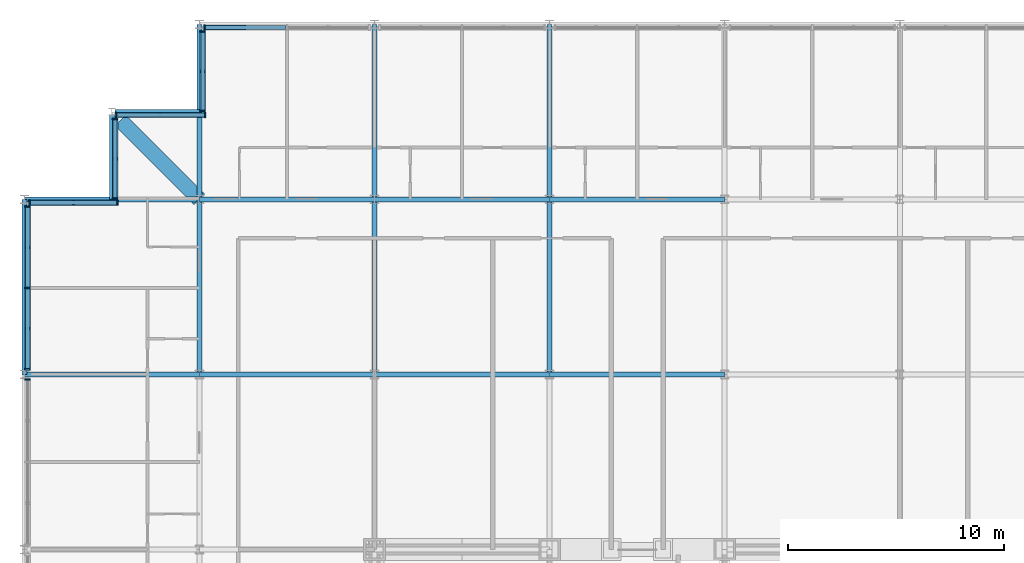
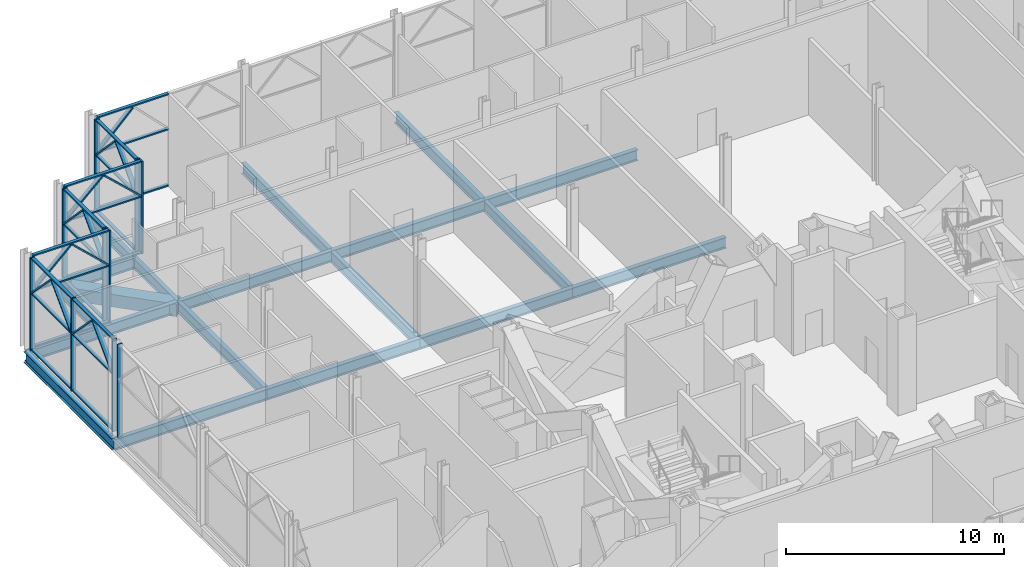
# One storey, part 10 of 26: 47 members, 18 beams, 7 elements without a shape of their own.
"""IFC4 building model written with IfcOpenShell, lengths in metres."""

from ifc_helpers import new_model, si_unit, direction, frame, origin, origin_2d, place, context, subcontext, project, spatial, rectangle, hollow_rectangle, i_section, extrude, material, material_profile, profile_set, type_object, element, aggregate, save


model = new_model("IFC4")

# Units and contexts
model_context = context("Model", 3, precision=1e-05, world=origin(), true_north=direction((0.0, 1.0)))
body_context = subcontext(model_context, "Body", "Model", "MODEL_VIEW")
ifc_project = project(units=[si_unit("LENGTHUNIT", "METRE"), si_unit("AREAUNIT", "SQUARE_METRE"), si_unit("VOLUMEUNIT", "CUBIC_METRE"), si_unit("PLANEANGLEUNIT", "RADIAN"), si_unit("MASSUNIT", "GRAM", prefix="KILO")], contexts=[model_context])

# Site, building, storey
site_placement = place(None, origin())
site = spatial("IfcSite", under=ifc_project, at=site_placement, CompositionType="ELEMENT")
building_placement = place(site_placement, origin())
building = spatial("IfcBuilding", under=site, at=building_placement, Name="Kopane Lantern Tower", CompositionType="ELEMENT")
storey_placement = place(building_placement, frame((0.0, 0.0, 293.10009765625)))
storey = spatial("IfcBuildingStorey", under=building, at=storey_placement, Name="L75", CompositionType="ELEMENT", Elevation=293.10009765625)

# Beams
ifc_material_1 = material(Name="Steel S355JR", Category="steel")
ifc_material_profile_1 = material_profile(ifc_material_1, hollow_rectangle(XDim=0.699951171875, YDim=0.699951171875, WallThickness=0.06005859375, at=origin_2d()), Name="BOX 700x700x60")
ifc_profile_set_1 = profile_set([ifc_material_profile_1], Name="Steel S355JR")
beam_type_1 = type_object("IfcBeamType", Name="CORNER TIE BEAM BOX 700x700x60", PredefinedType="BEAM", material=ifc_profile_set_1)
beam_1_placement = place(storey_placement, frame((4.447509765625, 60.3525390625, -0.56005859375), z_axis=(0.707106781187, -0.707106781187, 0.0), x_axis=(0.707106781187, 0.707106781187, 0.0)))
element("IfcBeam", 1, at=beam_1_placement, inside=storey, type_object=beam_type_1, Name="Corner Tie Beam L75", PredefinedType="BEAM", context=body_context, shape_type="SweptSolid", body=[
    extrude(hollow_rectangle(XDim=0.699951171875, YDim=0.699951171875, WallThickness=0.06005859375, at=origin_2d()), origin(), (0.0, 0.0, 1.0), 5.16552734375),
])
ifc_material_2 = material(Name="Steel S355JR", Category="steel")
ifc_material_profile_2 = material_profile(ifc_material_2, i_section(OverallWidth=0.22900390625, OverallDepth=0.6123046875, WebThickness=0.011962890625, FlangeThickness=0.01953125, FilletRadius=0.0126953125, at=origin_2d()), Name="UB 610x229x125")
ifc_profile_set_2 = profile_set([ifc_material_profile_2], Name="Steel S355JR")
beam_type_2 = type_object("IfcBeamType", Name="EDGE BEAM UB 610x229x125", PredefinedType="BEAM", material=ifc_profile_set_2)
beam_2_placement = place(storey_placement, frame((4.050048828125, 60.59619140625, -0.51611328125), z_axis=(0.0, -1.0, 0.0), x_axis=(1.0, 0.0, 0.0)))
element("IfcBeam", 2, at=beam_2_placement, inside=storey, type_object=beam_type_2, Name="Edge Beam L75", PredefinedType="BEAM", context=body_context, shape_type="SweptSolid", body=[
    extrude(i_section(OverallWidth=0.22900390625, OverallDepth=0.6123046875, WebThickness=0.011962890625, FlangeThickness=0.01953125, FilletRadius=0.0126953125, at=origin_2d()), origin(), (0.0, 0.0, 1.0), 3.896240234375),
])
beam_3_placement = place(storey_placement, frame((4.20361328125, 60.75, -0.51611328125), z_axis=(1.0, 0.0, 0.0), x_axis=(0.0, 1.0, 0.0)))
element("IfcBeam", 3, at=beam_3_placement, inside=storey, type_object=beam_type_2, Name="Edge Beam L75", PredefinedType="BEAM", context=body_context, shape_type="SweptSolid", body=[
    extrude(i_section(OverallWidth=0.22900390625, OverallDepth=0.6123046875, WebThickness=0.011962890625, FlangeThickness=0.01953125, FilletRadius=0.0126953125, at=origin_2d()), origin(), (0.0, 0.0, 1.0), 3.896484375),
])
ifc_material_3 = material(Name="Steel S355JR", Category="steel")
ifc_material_profile_3 = material_profile(ifc_material_3, i_section(OverallWidth=0.22900390625, OverallDepth=0.6123046875, WebThickness=0.011962890625, FlangeThickness=0.01953125, FilletRadius=0.0126953125, at=origin_2d()), Name="UB 610x229x125")
ifc_profile_set_3 = profile_set([ifc_material_profile_3], Name="Steel S355JR")
beam_type_3 = type_object("IfcBeamType", Name="GIRDER UB 610x229x125", PredefinedType="BEAM", material=ifc_profile_set_3)
beam_4_placement = place(storey_placement, frame((0.0, 48.60009765625, -0.51611328125), z_axis=(0.0, 1.0, 0.0), x_axis=(-1.0, 0.0, 0.0)))
element("IfcBeam", 4, at=beam_4_placement, inside=storey, type_object=beam_type_3, Name="Girder L75", PredefinedType="BEAM", context=body_context, shape_type="SweptSolid", body=[
    extrude(i_section(OverallWidth=0.22900390625, OverallDepth=0.6123046875, WebThickness=0.011962890625, FlangeThickness=0.01953125, FilletRadius=0.0126953125, at=origin_2d()), origin(), (0.0, 0.0, 1.0), 8.099853515625),
])
for number, where, z_axis, x_axis, name in (
    (5, (0.0, 48.60009765625, -0.51611328125), (1.0, 0.0, 0.0), (0.0, 1.0, 0.0), "Girder L75"),
    (6, (0.0, 56.699951171875, -0.51611328125), (1.0, 0.0, 0.0), (0.0, 1.0, 0.0), "Girder L75"),
):
    element("IfcBeam", number, at=place(storey_placement, frame(where, z_axis=z_axis, x_axis=x_axis)), inside=storey, type_object=beam_type_3, Name=name, PredefinedType="BEAM", context=body_context, shape_type="SweptSolid", body=[
        extrude(i_section(OverallWidth=0.22900390625, OverallDepth=0.6123046875, WebThickness=0.011962890625, FlangeThickness=0.01953125, FilletRadius=0.0126953125, at=origin_2d()), origin(), (0.0, 0.0, 1.0), 8.10009765625),
    ])
for number, where, z_axis, x_axis, name in (
    (7, (8.10009765625, 48.60009765625, -0.51611328125), (0.0, 1.0, 0.0), (-1.0, 0.0, 0.0), "Girder L75"),
    (8, (8.10009765625, 48.60009765625, -0.51611328125), (1.0, 0.0, 0.0), (0.0, 1.0, 0.0), "Girder L75"),
):
    element("IfcBeam", number, at=place(storey_placement, frame(where, z_axis=z_axis, x_axis=x_axis)), inside=storey, type_object=beam_type_3, Name=name, PredefinedType="BEAM", context=body_context, shape_type="SweptSolid", body=[
        extrude(i_section(OverallWidth=0.22900390625, OverallDepth=0.6123046875, WebThickness=0.011962890625, FlangeThickness=0.01953125, FilletRadius=0.0126953125, at=origin_2d()), origin(), (0.0, 0.0, 1.0), 8.099853515625),
    ])
beam_5_placement = place(storey_placement, frame((8.10009765625, 56.699951171875, -0.51611328125), z_axis=(0.0, 1.0, 0.0), x_axis=(-1.0, 0.0, 0.0)))
element("IfcBeam", 9, at=beam_5_placement, inside=storey, type_object=beam_type_3, Name="Girder L75", PredefinedType="BEAM", context=body_context, shape_type="SweptSolid", body=[
    extrude(i_section(OverallWidth=0.22900390625, OverallDepth=0.6123046875, WebThickness=0.011962890625, FlangeThickness=0.01953125, FilletRadius=0.0126953125, at=origin_2d()), origin(), (0.0, 0.0, 1.0), 8.10009765625),
])
for number, where, z_axis, x_axis, name in (
    (10, (8.10009765625, 56.699951171875, -0.51611328125), (1.0, 0.0, 0.0), (0.0, 1.0, 0.0), "Girder L75"),
    (11, (16.199951171875, 48.60009765625, -0.51611328125), (0.0, 1.0, 0.0), (-1.0, 0.0, 0.0), "Girder L75"),
):
    element("IfcBeam", number, at=place(storey_placement, frame(where, z_axis=z_axis, x_axis=x_axis)), inside=storey, type_object=beam_type_3, Name=name, PredefinedType="BEAM", context=body_context, shape_type="SweptSolid", body=[
        extrude(i_section(OverallWidth=0.22900390625, OverallDepth=0.6123046875, WebThickness=0.011962890625, FlangeThickness=0.01953125, FilletRadius=0.0126953125, at=origin_2d()), origin(), (0.0, 0.0, 1.0), 8.099853515625),
    ])
for number, where, z_axis, x_axis, name in (
    (12, (16.199951171875, 48.60009765625, -0.51611328125), (1.0, 0.0, 0.0), (0.0, 1.0, 0.0), "Girder L75"),
    (13, (16.199951171875, 56.699951171875, -0.51611328125), (0.0, 1.0, 0.0), (-1.0, 0.0, 0.0), "Girder L75"),
    (14, (16.199951171875, 56.699951171875, -0.51611328125), (1.0, 0.0, 0.0), (0.0, 1.0, 0.0), "Girder L75"),
):
    element("IfcBeam", number, at=place(storey_placement, frame(where, z_axis=z_axis, x_axis=x_axis)), inside=storey, type_object=beam_type_3, Name=name, PredefinedType="BEAM", context=body_context, shape_type="SweptSolid", body=[
        extrude(i_section(OverallWidth=0.22900390625, OverallDepth=0.6123046875, WebThickness=0.011962890625, FlangeThickness=0.01953125, FilletRadius=0.0126953125, at=origin_2d()), origin(), (0.0, 0.0, 1.0), 8.10009765625),
    ])
for number, where, z_axis, x_axis, name in (
    (15, (24.300048828125, 48.60009765625, -0.51611328125), (0.0, 1.0, 0.0), (-1.0, 0.0, 0.0), "Girder L75"),
    (16, (24.300048828125, 48.60009765625, -0.51611328125), (1.0, 0.0, 0.0), (0.0, 1.0, 0.0), "Girder L75"),
):
    element("IfcBeam", number, at=place(storey_placement, frame(where, z_axis=z_axis, x_axis=x_axis)), inside=storey, type_object=beam_type_3, Name=name, PredefinedType="BEAM", context=body_context, shape_type="SweptSolid", body=[
        extrude(i_section(OverallWidth=0.22900390625, OverallDepth=0.6123046875, WebThickness=0.011962890625, FlangeThickness=0.01953125, FilletRadius=0.0126953125, at=origin_2d()), origin(), (0.0, 0.0, 1.0), 8.099853515625),
    ])
beam_6_placement = place(storey_placement, frame((24.300048828125, 56.699951171875, -0.51611328125), z_axis=(0.0, 1.0, 0.0), x_axis=(-1.0, 0.0, 0.0)))
element("IfcBeam", 17, at=beam_6_placement, inside=storey, type_object=beam_type_3, Name="Girder L75", PredefinedType="BEAM", context=body_context, shape_type="SweptSolid", body=[
    extrude(i_section(OverallWidth=0.22900390625, OverallDepth=0.6123046875, WebThickness=0.011962890625, FlangeThickness=0.01953125, FilletRadius=0.0126953125, at=origin_2d()), origin(), (0.0, 0.0, 1.0), 8.10009765625),
])
beam_7_placement = place(storey_placement, frame((24.300048828125, 56.699951171875, -0.51611328125), z_axis=(1.0, 0.0, 0.0), x_axis=(0.0, 1.0, 0.0)))
element("IfcBeam", 18, at=beam_7_placement, inside=storey, type_object=beam_type_3, Name="Girder L75", PredefinedType="BEAM", context=body_context, shape_type="SweptSolid", body=[
    extrude(i_section(OverallWidth=0.22900390625, OverallDepth=0.6123046875, WebThickness=0.011962890625, FlangeThickness=0.01953125, FilletRadius=0.0126953125, at=origin_2d()), origin(), (0.0, 0.0, 1.0), 8.099853515625),
])

# Curtain wall, members
ifc_material_4 = material(Name="Aluminium and clear glass", Category="aluminium")
curtain_wall_type = type_object("IfcCurtainWallType", Name="CURTAIN WALL CW5 SKY RESTAURANT", PredefinedType="USERDEFINED", material=ifc_material_4)
curtain_wall_1_placement = place(storey_placement, origin())
curtain_wall_1 = element("IfcCurtainWall", 19, at=curtain_wall_1_placement, inside=storey, type_object=curtain_wall_type, Name="Curtain wall CW5 N L75", ObjectType="CURTAIN WALL", PredefinedType="USERDEFINED")
ifc_material_5 = material(Name="Aluminium", Category="aluminium")
ifc_material_profile_4 = material_profile(ifc_material_5, rectangle(XDim=0.074951171875, YDim=0.25, at=origin_2d()), Name="AL 75x250")
ifc_profile_set_4 = profile_set([ifc_material_profile_4], Name="Aluminium")
member_type_1 = type_object("IfcMemberType", Name="MULLION CW5-M 75x250", PredefinedType="MULLION", material=ifc_profile_set_4)
member_1_placement = place(storey_placement, frame((8.342041015625, 64.64990234375, 0.0), z_axis=(0.0, 0.0, 1.0), x_axis=(-1.0, 0.0, 0.0)))
member_1 = element("IfcMember", 20, at=member_1_placement, type_object=member_type_1, Name="CW5 mullion 3", PredefinedType="MULLION", context=body_context, shape_type="SweptSolid", body=[
    extrude(rectangle(XDim=0.074951171875, YDim=0.25, at=origin_2d()), origin(), (0.0, 0.0, 1.0), 5.18994140625),
])
member_2_placement = place(storey_placement, frame((8.40625, 64.64990234375, 3.25390625), z_axis=(0.7028822434, 0.0, 0.71130622935), x_axis=(-0.71130622935, 0.0, 0.7028822434)))
member_2 = element("IfcMember", 21, at=member_2_placement, type_object=member_type_1, Name="CW5 lancet mullion 2R", PredefinedType="MULLION", context=body_context, shape_type="SweptSolid", body=[
    extrude(rectangle(XDim=0.074951171875, YDim=0.25, at=origin_2d()), origin(), (0.0, 0.0, 1.0), 2.579345703125),
])

curtain_wall_2_placement = place(storey_placement, origin())
curtain_wall_2 = element("IfcCurtainWall", 22, at=curtain_wall_2_placement, inside=storey, type_object=curtain_wall_type, Name="Curtain wall CW5 W L75", ObjectType="CURTAIN WALL", PredefinedType="USERDEFINED")
member_3_placement = place(storey_placement, frame((8.25, 64.46240234375, 0.0), z_axis=(0.0, 0.0, 1.0), x_axis=(0.0, -1.0, 0.0)))
member_3 = element("IfcMember", 23, at=member_3_placement, type_object=member_type_1, Name="CW5 mullion 1", PredefinedType="MULLION", context=body_context, shape_type="SweptSolid", body=[
    extrude(rectangle(XDim=0.074951171875, YDim=0.25, at=origin_2d()), origin(), (0.0, 0.0, 1.0), 5.18994140625),
])
member_4_placement = place(storey_placement, frame((8.25, 60.78759765625, 0.0), z_axis=(0.0, 0.0, 1.0), x_axis=(0.0, -1.0, 0.0)))
member_4 = element("IfcMember", 24, at=member_4_placement, type_object=member_type_1, Name="CW5 mullion 2", PredefinedType="MULLION", context=body_context, shape_type="SweptSolid", body=[
    extrude(rectangle(XDim=0.074951171875, YDim=0.25, at=origin_2d()), origin(), (0.0, 0.0, 1.0), 5.18994140625),
])
member_5_placement = place(storey_placement, frame((8.25, 64.397705078125, 3.253173828125), z_axis=(0.0, -0.689053331261, 0.724710636515), x_axis=(0.0, 0.724710636515, 0.689053331261)))
member_5 = element("IfcMember", 25, at=member_5_placement, type_object=member_type_1, Name="CW5 lancet mullion 1L", PredefinedType="MULLION", context=body_context, shape_type="SweptSolid", body=[
    extrude(rectangle(XDim=0.074951171875, YDim=0.25, at=origin_2d()), origin(), (0.0, 0.0, 1.0), 2.533447265625),
])
member_6_placement = place(storey_placement, frame((8.25, 60.852294921875, 3.253173828125), z_axis=(0.0, 0.689053331261, 0.724710636515), x_axis=(0.0, -0.724710636515, 0.689053331261)))
member_6 = element("IfcMember", 26, at=member_6_placement, type_object=member_type_1, Name="CW5 lancet mullion 1R", PredefinedType="MULLION", context=body_context, shape_type="SweptSolid", body=[
    extrude(rectangle(XDim=0.074951171875, YDim=0.25, at=origin_2d()), origin(), (0.0, 0.0, 1.0), 2.533447265625),
])

curtain_wall_3_placement = place(storey_placement, origin())
curtain_wall_3 = element("IfcCurtainWall", 27, at=curtain_wall_3_placement, inside=storey, type_object=curtain_wall_type, Name="Curtain wall CW5 N L75", ObjectType="CURTAIN WALL", PredefinedType="USERDEFINED")
member_7_placement = place(storey_placement, frame((8.362548828125, 60.60009765625, 0.0), z_axis=(0.0, 0.0, 1.0), x_axis=(-1.0, 0.0, 0.0)))
member_7 = element("IfcMember", 28, at=member_7_placement, type_object=member_type_1, Name="CW5 mullion 1", PredefinedType="MULLION", context=body_context, shape_type="SweptSolid", body=[
    extrude(rectangle(XDim=0.074951171875, YDim=0.25, at=origin_2d()), origin(), (0.0, 0.0, 1.0), 5.18994140625),
])
member_8_placement = place(storey_placement, frame((4.24609375, 60.60009765625, 0.0), z_axis=(0.0, 0.0, 1.0), x_axis=(-1.0, 0.0, 0.0)))
member_8 = element("IfcMember", 29, at=member_8_placement, type_object=member_type_1, Name="CW5 mullion 2", PredefinedType="MULLION", context=body_context, shape_type="SweptSolid", body=[
    extrude(rectangle(XDim=0.074951171875, YDim=0.25, at=origin_2d()), origin(), (0.0, 0.0, 1.0), 5.18994140625),
])
member_9_placement = place(storey_placement, frame((8.299560546875, 60.60009765625, 3.2548828125), z_axis=(-0.732146744025, 0.0, 0.681146933645), x_axis=(0.681146933645, 0.0, 0.732146744025)))
member_9 = element("IfcMember", 30, at=member_9_placement, type_object=member_type_1, Name="CW5 lancet mullion 1L", PredefinedType="MULLION", context=body_context, shape_type="SweptSolid", body=[
    extrude(rectangle(XDim=0.074951171875, YDim=0.25, at=origin_2d()), origin(), (0.0, 0.0, 1.0), 2.6904296875),
])
member_10_placement = place(storey_placement, frame((4.30908203125, 60.60009765625, 3.2548828125), z_axis=(0.732146744025, 0.0, 0.681146933645), x_axis=(-0.681146933645, 0.0, 0.732146744025)))
member_10 = element("IfcMember", 31, at=member_10_placement, type_object=member_type_1, Name="CW5 lancet mullion 1R", PredefinedType="MULLION", context=body_context, shape_type="SweptSolid", body=[
    extrude(rectangle(XDim=0.074951171875, YDim=0.25, at=origin_2d()), origin(), (0.0, 0.0, 1.0), 2.6904296875),
])

curtain_wall_4_placement = place(storey_placement, origin())
curtain_wall_4 = element("IfcCurtainWall", 32, at=curtain_wall_4_placement, inside=storey, type_object=curtain_wall_type, Name="Curtain wall CW5 W L75", ObjectType="CURTAIN WALL", PredefinedType="USERDEFINED")
member_11_placement = place(storey_placement, frame((4.199951171875, 60.41259765625, 0.0), z_axis=(0.0, 0.0, 1.0), x_axis=(0.0, -1.0, 0.0)))
member_11 = element("IfcMember", 33, at=member_11_placement, type_object=member_type_1, Name="CW5 mullion 1", PredefinedType="MULLION", context=body_context, shape_type="SweptSolid", body=[
    extrude(rectangle(XDim=0.074951171875, YDim=0.25, at=origin_2d()), origin(), (0.0, 0.0, 1.0), 5.18994140625),
])
member_12_placement = place(storey_placement, frame((4.199951171875, 56.737548828125, 0.0), z_axis=(0.0, 0.0, 1.0), x_axis=(0.0, -1.0, 0.0)))
member_12 = element("IfcMember", 34, at=member_12_placement, type_object=member_type_1, Name="CW5 mullion 2", PredefinedType="MULLION", context=body_context, shape_type="SweptSolid", body=[
    extrude(rectangle(XDim=0.074951171875, YDim=0.25, at=origin_2d()), origin(), (0.0, 0.0, 1.0), 5.18994140625),
])
member_13_placement = place(storey_placement, frame((4.199951171875, 60.347900390625, 3.253173828125), z_axis=(0.0, -0.689053331261, 0.724710636515), x_axis=(0.0, 0.724710636515, 0.689053331261)))
member_13 = element("IfcMember", 35, at=member_13_placement, type_object=member_type_1, Name="CW5 lancet mullion 1L", PredefinedType="MULLION", context=body_context, shape_type="SweptSolid", body=[
    extrude(rectangle(XDim=0.074951171875, YDim=0.25, at=origin_2d()), origin(), (0.0, 0.0, 1.0), 2.533447265625),
])
member_14_placement = place(storey_placement, frame((4.199951171875, 56.80224609375, 3.253173828125), z_axis=(0.0, 0.689053331261, 0.724710636515), x_axis=(0.0, -0.724710636515, 0.689053331261)))
member_14 = element("IfcMember", 36, at=member_14_placement, type_object=member_type_1, Name="CW5 lancet mullion 1R", PredefinedType="MULLION", context=body_context, shape_type="SweptSolid", body=[
    extrude(rectangle(XDim=0.074951171875, YDim=0.25, at=origin_2d()), origin(), (0.0, 0.0, 1.0), 2.533447265625),
])

curtain_wall_5_placement = place(storey_placement, origin())
curtain_wall_5 = element("IfcCurtainWall", 37, at=curtain_wall_5_placement, inside=storey, type_object=curtain_wall_type, Name="Curtain wall CW5 N L75", ObjectType="CURTAIN WALL", PredefinedType="USERDEFINED")
member_15_placement = place(storey_placement, frame((4.3125, 56.550048828125, 0.0), z_axis=(0.0, 0.0, 1.0), x_axis=(-1.0, 0.0, 0.0)))
member_15 = element("IfcMember", 38, at=member_15_placement, type_object=member_type_1, Name="CW5 mullion 1", PredefinedType="MULLION", context=body_context, shape_type="SweptSolid", body=[
    extrude(rectangle(XDim=0.074951171875, YDim=0.25, at=origin_2d()), origin(), (0.0, 0.0, 1.0), 5.18994140625),
])
member_16_placement = place(storey_placement, frame((0.241943359375, 56.550048828125, 0.0), z_axis=(0.0, 0.0, 1.0), x_axis=(-1.0, 0.0, 0.0)))
member_16 = element("IfcMember", 39, at=member_16_placement, type_object=member_type_1, Name="CW5 mullion 2", PredefinedType="MULLION", context=body_context, shape_type="SweptSolid", body=[
    extrude(rectangle(XDim=0.074951171875, YDim=0.25, at=origin_2d()), origin(), (0.0, 0.0, 1.0), 5.18994140625),
])
member_17_placement = place(storey_placement, frame((4.249267578125, 56.550048828125, 3.254638671875), z_axis=(-0.727974761986, 0.0, 0.685603927871), x_axis=(0.685603927871, 0.0, 0.727974761986)))
member_17 = element("IfcMember", 40, at=member_17_placement, type_object=member_type_1, Name="CW5 lancet mullion 1L", PredefinedType="MULLION", context=body_context, shape_type="SweptSolid", body=[
    extrude(rectangle(XDim=0.074951171875, YDim=0.25, at=origin_2d()), origin(), (0.0, 0.0, 1.0), 2.673583984375),
])
member_18_placement = place(storey_placement, frame((0.30517578125, 56.550048828125, 3.254638671875), z_axis=(0.727974761986, 0.0, 0.685603927871), x_axis=(-0.685603927871, 0.0, 0.727974761986)))
member_18 = element("IfcMember", 41, at=member_18_placement, type_object=member_type_1, Name="CW5 lancet mullion 1R", PredefinedType="MULLION", context=body_context, shape_type="SweptSolid", body=[
    extrude(rectangle(XDim=0.074951171875, YDim=0.25, at=origin_2d()), origin(), (0.0, 0.0, 1.0), 2.673583984375),
])

curtain_wall_6_placement = place(storey_placement, origin())
curtain_wall_6 = element("IfcCurtainWall", 42, at=curtain_wall_6_placement, inside=storey, type_object=curtain_wall_type, Name="Curtain wall CW5 W L75", ObjectType="CURTAIN WALL", PredefinedType="USERDEFINED")
member_19_placement = place(storey_placement, frame((0.14990234375, 56.362548828125, 0.0), z_axis=(0.0, 0.0, 1.0), x_axis=(0.0, -1.0, 0.0)))
member_19 = element("IfcMember", 43, at=member_19_placement, type_object=member_type_1, Name="CW5 mullion 1", PredefinedType="MULLION", context=body_context, shape_type="SweptSolid", body=[
    extrude(rectangle(XDim=0.074951171875, YDim=0.25, at=origin_2d()), origin(), (0.0, 0.0, 1.0), 5.18994140625),
])
member_20_placement = place(storey_placement, frame((0.14990234375, 52.600830078125, 0.0), z_axis=(0.0, 0.0, 1.0), x_axis=(0.0, -1.0, 0.0)))
member_20 = element("IfcMember", 44, at=member_20_placement, type_object=member_type_1, Name="CW5 mullion 2", PredefinedType="MULLION", context=body_context, shape_type="SweptSolid", body=[
    extrude(rectangle(XDim=0.074951171875, YDim=0.25, at=origin_2d()), origin(), (0.0, 0.0, 1.0), 5.18994140625),
])
member_21_placement = place(storey_placement, frame((0.14990234375, 48.83935546875, 0.0), z_axis=(0.0, 0.0, 1.0), x_axis=(0.0, -1.0, 0.0)))
member_21 = element("IfcMember", 45, at=member_21_placement, type_object=member_type_1, Name="CW5 mullion 3", PredefinedType="MULLION", context=body_context, shape_type="SweptSolid", body=[
    extrude(rectangle(XDim=0.074951171875, YDim=0.25, at=origin_2d()), origin(), (0.0, 0.0, 1.0), 5.18994140625),
])
member_22_placement = place(storey_placement, frame((0.14990234375, 56.298095703125, 3.253662109375), z_axis=(0.0, -0.698192909608, 0.715909673753), x_axis=(0.0, 0.715909673753, 0.698192909608)))
member_22 = element("IfcMember", 46, at=member_22_placement, type_object=member_type_1, Name="CW5 lancet mullion 1L", PredefinedType="MULLION", context=body_context, shape_type="SweptSolid", body=[
    extrude(rectangle(XDim=0.074951171875, YDim=0.25, at=origin_2d()), origin(), (0.0, 0.0, 1.0), 2.563232421875),
])
member_23_placement = place(storey_placement, frame((0.14990234375, 52.665283203125, 3.253662109375), z_axis=(0.0, 0.698192909608, 0.715909673753), x_axis=(0.0, -0.715909673753, 0.698192909608)))
member_23 = element("IfcMember", 47, at=member_23_placement, type_object=member_type_1, Name="CW5 lancet mullion 1R", PredefinedType="MULLION", context=body_context, shape_type="SweptSolid", body=[
    extrude(rectangle(XDim=0.074951171875, YDim=0.25, at=origin_2d()), origin(), (0.0, 0.0, 1.0), 2.563232421875),
])
member_24_placement = place(storey_placement, frame((0.14990234375, 52.53662109375, 3.253662109375), z_axis=(0.0, -0.69824172363, 0.715862064494), x_axis=(0.0, 0.715862064494, 0.69824172363)))
member_24 = element("IfcMember", 48, at=member_24_placement, type_object=member_type_1, Name="CW5 lancet mullion 2L", PredefinedType="MULLION", context=body_context, shape_type="SweptSolid", body=[
    extrude(rectangle(XDim=0.074951171875, YDim=0.25, at=origin_2d()), origin(), (0.0, 0.0, 1.0), 2.563232421875),
])
member_25_placement = place(storey_placement, frame((0.14990234375, 48.903564453125, 3.253662109375), z_axis=(0.0, 0.69824172363, 0.715862064494), x_axis=(0.0, -0.715862064494, 0.69824172363)))
member_25 = element("IfcMember", 49, at=member_25_placement, type_object=member_type_1, Name="CW5 lancet mullion 2R", PredefinedType="MULLION", context=body_context, shape_type="SweptSolid", body=[
    extrude(rectangle(XDim=0.074951171875, YDim=0.25, at=origin_2d()), origin(), (0.0, 0.0, 1.0), 2.563232421875),
])

# Curtain wall, member
curtain_wall_7_placement = place(storey_placement, origin())
curtain_wall_7 = element("IfcCurtainWall", 50, at=curtain_wall_7_placement, inside=storey, type_object=curtain_wall_type, Name="Curtain wall CW5 W L75", ObjectType="CURTAIN WALL", PredefinedType="USERDEFINED")
member_26_placement = place(storey_placement, frame((0.14990234375, 48.360595703125, 0.0), z_axis=(0.0, 0.0, 1.0), x_axis=(0.0, -1.0, 0.0)))
member_26 = element("IfcMember", 51, at=member_26_placement, type_object=member_type_1, Name="CW5 mullion 1", PredefinedType="MULLION", context=body_context, shape_type="SweptSolid", body=[
    extrude(rectangle(XDim=0.074951171875, YDim=0.25, at=origin_2d()), origin(), (0.0, 0.0, 1.0), 5.18994140625),
])
aggregate(curtain_wall_7, [member_26])

# Member
ifc_material_6 = material(Name="Aluminium", Category="aluminium")
ifc_material_profile_5 = material_profile(ifc_material_6, rectangle(XDim=0.175048828125, YDim=0.074951171875, at=origin_2d()), Name="AL 175x75")
ifc_profile_set_5 = profile_set([ifc_material_profile_5], Name="Aluminium")
member_type_2 = type_object("IfcMemberType", Name="TRANSOM CW5-T 75x175", PredefinedType="USERDEFINED", material=ifc_profile_set_5)
member_27_placement = place(storey_placement, frame((12.112548828125, 64.64990234375, 0.037353515625), z_axis=(-1.0, 0.0, 0.0), x_axis=(0.0, -1.0, 0.0)))
member_27 = element("IfcMember", 52, at=member_27_placement, type_object=member_type_2, Name="CW5 transom 2.1", ObjectType="TRANSOM", PredefinedType="USERDEFINED", context=body_context, shape_type="SweptSolid", body=[
    extrude(rectangle(XDim=0.175048828125, YDim=0.074951171875, at=origin_2d()), origin(), (0.0, 0.0, 1.0), 3.733154296875),
])

member_28_placement = place(storey_placement, frame((12.112548828125, 64.64990234375, 3.18994140625), z_axis=(-1.0, 0.0, 0.0), x_axis=(0.0, -1.0, 0.0)))
member_28 = element("IfcMember", 53, at=member_28_placement, type_object=member_type_2, Name="CW5 transom 2.2", ObjectType="TRANSOM", PredefinedType="USERDEFINED", context=body_context, shape_type="SweptSolid", body=[
    extrude(rectangle(XDim=0.175048828125, YDim=0.074951171875, at=origin_2d()), origin(), (0.0, 0.0, 1.0), 3.733154296875),
])

member_29_placement = place(storey_placement, frame((12.112548828125, 64.64990234375, 5.15234375), z_axis=(-1.0, 0.0, 0.0), x_axis=(0.0, -1.0, 0.0)))
member_29 = element("IfcMember", 54, at=member_29_placement, type_object=member_type_2, Name="CW5 transom 2.3", ObjectType="TRANSOM", PredefinedType="USERDEFINED", context=body_context, shape_type="SweptSolid", body=[
    extrude(rectangle(XDim=0.175048828125, YDim=0.074951171875, at=origin_2d()), origin(), (0.0, 0.0, 1.0), 3.733154296875),
])

aggregate(curtain_wall_1, [member_1, member_27, member_28, member_29, member_2])

member_30_placement = place(storey_placement, frame((8.25, 64.425048828125, 0.037353515625), z_axis=(0.0, -1.0, 0.0), x_axis=(1.0, 0.0, 0.0)))
member_30 = element("IfcMember", 55, at=member_30_placement, type_object=member_type_2, Name="CW5 transom 1.1", ObjectType="TRANSOM", PredefinedType="USERDEFINED", context=body_context, shape_type="SweptSolid", body=[
    extrude(rectangle(XDim=0.175048828125, YDim=0.074951171875, at=origin_2d()), origin(), (0.0, 0.0, 1.0), 3.60009765625),
])

member_31_placement = place(storey_placement, frame((8.25, 64.425048828125, 3.18994140625), z_axis=(0.0, -1.0, 0.0), x_axis=(1.0, 0.0, 0.0)))
member_31 = element("IfcMember", 56, at=member_31_placement, type_object=member_type_2, Name="CW5 transom 1.2", ObjectType="TRANSOM", PredefinedType="USERDEFINED", context=body_context, shape_type="SweptSolid", body=[
    extrude(rectangle(XDim=0.175048828125, YDim=0.074951171875, at=origin_2d()), origin(), (0.0, 0.0, 1.0), 3.60009765625),
])

member_32_placement = place(storey_placement, frame((8.25, 64.425048828125, 5.15234375), z_axis=(0.0, -1.0, 0.0), x_axis=(1.0, 0.0, 0.0)))
member_32 = element("IfcMember", 57, at=member_32_placement, type_object=member_type_2, Name="CW5 transom 1.3", ObjectType="TRANSOM", PredefinedType="USERDEFINED", context=body_context, shape_type="SweptSolid", body=[
    extrude(rectangle(XDim=0.175048828125, YDim=0.074951171875, at=origin_2d()), origin(), (0.0, 0.0, 1.0), 3.60009765625),
])

aggregate(curtain_wall_2, [member_3, member_4, member_30, member_31, member_32, member_5, member_6])

member_33_placement = place(storey_placement, frame((8.324951171875, 60.60009765625, 0.037353515625), z_axis=(-1.0, 0.0, 0.0), x_axis=(0.0, -1.0, 0.0)))
member_33 = element("IfcMember", 58, at=member_33_placement, type_object=member_type_2, Name="CW5 transom 1.1", ObjectType="TRANSOM", PredefinedType="USERDEFINED", context=body_context, shape_type="SweptSolid", body=[
    extrude(rectangle(XDim=0.175048828125, YDim=0.074951171875, at=origin_2d()), origin(), (0.0, 0.0, 1.0), 4.041259765625),
])

member_34_placement = place(storey_placement, frame((8.324951171875, 60.60009765625, 3.18994140625), z_axis=(-1.0, 0.0, 0.0), x_axis=(0.0, -1.0, 0.0)))
member_34 = element("IfcMember", 59, at=member_34_placement, type_object=member_type_2, Name="CW5 transom 1.2", ObjectType="TRANSOM", PredefinedType="USERDEFINED", context=body_context, shape_type="SweptSolid", body=[
    extrude(rectangle(XDim=0.175048828125, YDim=0.074951171875, at=origin_2d()), origin(), (0.0, 0.0, 1.0), 4.041259765625),
])

member_35_placement = place(storey_placement, frame((8.324951171875, 60.60009765625, 5.15234375), z_axis=(-1.0, 0.0, 0.0), x_axis=(0.0, -1.0, 0.0)))
member_35 = element("IfcMember", 60, at=member_35_placement, type_object=member_type_2, Name="CW5 transom 1.3", ObjectType="TRANSOM", PredefinedType="USERDEFINED", context=body_context, shape_type="SweptSolid", body=[
    extrude(rectangle(XDim=0.175048828125, YDim=0.074951171875, at=origin_2d()), origin(), (0.0, 0.0, 1.0), 4.041259765625),
])

aggregate(curtain_wall_3, [member_7, member_8, member_33, member_34, member_35, member_9, member_10])

member_36_placement = place(storey_placement, frame((4.199951171875, 60.375, 0.037353515625), z_axis=(0.0, -1.0, 0.0), x_axis=(1.0, 0.0, 0.0)))
member_36 = element("IfcMember", 61, at=member_36_placement, type_object=member_type_2, Name="CW5 transom 1.1", ObjectType="TRANSOM", PredefinedType="USERDEFINED", context=body_context, shape_type="SweptSolid", body=[
    extrude(rectangle(XDim=0.175048828125, YDim=0.074951171875, at=origin_2d()), origin(), (0.0, 0.0, 1.0), 3.60009765625),
])

member_37_placement = place(storey_placement, frame((4.199951171875, 60.375, 3.18994140625), z_axis=(0.0, -1.0, 0.0), x_axis=(1.0, 0.0, 0.0)))
member_37 = element("IfcMember", 62, at=member_37_placement, type_object=member_type_2, Name="CW5 transom 1.2", ObjectType="TRANSOM", PredefinedType="USERDEFINED", context=body_context, shape_type="SweptSolid", body=[
    extrude(rectangle(XDim=0.175048828125, YDim=0.074951171875, at=origin_2d()), origin(), (0.0, 0.0, 1.0), 3.60009765625),
])

member_38_placement = place(storey_placement, frame((4.199951171875, 60.375, 5.15234375), z_axis=(0.0, -1.0, 0.0), x_axis=(1.0, 0.0, 0.0)))
member_38 = element("IfcMember", 63, at=member_38_placement, type_object=member_type_2, Name="CW5 transom 1.3", ObjectType="TRANSOM", PredefinedType="USERDEFINED", context=body_context, shape_type="SweptSolid", body=[
    extrude(rectangle(XDim=0.175048828125, YDim=0.074951171875, at=origin_2d()), origin(), (0.0, 0.0, 1.0), 3.60009765625),
])

aggregate(curtain_wall_4, [member_11, member_12, member_36, member_37, member_38, member_13, member_14])

member_39_placement = place(storey_placement, frame((4.27490234375, 56.550048828125, 0.037353515625), z_axis=(-1.0, 0.0, 0.0), x_axis=(0.0, -1.0, 0.0)))
member_39 = element("IfcMember", 64, at=member_39_placement, type_object=member_type_2, Name="CW5 transom 1.1", ObjectType="TRANSOM", PredefinedType="USERDEFINED", context=body_context, shape_type="SweptSolid", body=[
    extrude(rectangle(XDim=0.175048828125, YDim=0.074951171875, at=origin_2d()), origin(), (0.0, 0.0, 1.0), 3.995361328125),
])

member_40_placement = place(storey_placement, frame((4.27490234375, 56.550048828125, 3.18994140625), z_axis=(-1.0, 0.0, 0.0), x_axis=(0.0, -1.0, 0.0)))
member_40 = element("IfcMember", 65, at=member_40_placement, type_object=member_type_2, Name="CW5 transom 1.2", ObjectType="TRANSOM", PredefinedType="USERDEFINED", context=body_context, shape_type="SweptSolid", body=[
    extrude(rectangle(XDim=0.175048828125, YDim=0.074951171875, at=origin_2d()), origin(), (0.0, 0.0, 1.0), 3.995361328125),
])

member_41_placement = place(storey_placement, frame((4.27490234375, 56.550048828125, 5.15234375), z_axis=(-1.0, 0.0, 0.0), x_axis=(0.0, -1.0, 0.0)))
member_41 = element("IfcMember", 66, at=member_41_placement, type_object=member_type_2, Name="CW5 transom 1.3", ObjectType="TRANSOM", PredefinedType="USERDEFINED", context=body_context, shape_type="SweptSolid", body=[
    extrude(rectangle(XDim=0.175048828125, YDim=0.074951171875, at=origin_2d()), origin(), (0.0, 0.0, 1.0), 3.995361328125),
])

aggregate(curtain_wall_5, [member_15, member_16, member_39, member_40, member_41, member_17, member_18])

member_42_placement = place(storey_placement, frame((0.14990234375, 56.324951171875, 0.037353515625), z_axis=(0.0, -1.0, 0.0), x_axis=(1.0, 0.0, 0.0)))
member_42 = element("IfcMember", 67, at=member_42_placement, type_object=member_type_2, Name="CW5 transom 1.1", ObjectType="TRANSOM", PredefinedType="USERDEFINED", context=body_context, shape_type="SweptSolid", body=[
    extrude(rectangle(XDim=0.175048828125, YDim=0.074951171875, at=origin_2d()), origin(), (0.0, 0.0, 1.0), 3.6865234375),
])

member_43_placement = place(storey_placement, frame((0.14990234375, 56.324951171875, 3.18994140625), z_axis=(0.0, -1.0, 0.0), x_axis=(1.0, 0.0, 0.0)))
member_43 = element("IfcMember", 68, at=member_43_placement, type_object=member_type_2, Name="CW5 transom 1.2", ObjectType="TRANSOM", PredefinedType="USERDEFINED", context=body_context, shape_type="SweptSolid", body=[
    extrude(rectangle(XDim=0.175048828125, YDim=0.074951171875, at=origin_2d()), origin(), (0.0, 0.0, 1.0), 3.6865234375),
])

member_44_placement = place(storey_placement, frame((0.14990234375, 56.324951171875, 5.15234375), z_axis=(0.0, -1.0, 0.0), x_axis=(1.0, 0.0, 0.0)))
member_44 = element("IfcMember", 69, at=member_44_placement, type_object=member_type_2, Name="CW5 transom 1.3", ObjectType="TRANSOM", PredefinedType="USERDEFINED", context=body_context, shape_type="SweptSolid", body=[
    extrude(rectangle(XDim=0.175048828125, YDim=0.074951171875, at=origin_2d()), origin(), (0.0, 0.0, 1.0), 3.6865234375),
])

member_45_placement = place(storey_placement, frame((0.14990234375, 52.5634765625, 0.037353515625), z_axis=(0.0, -1.0, 0.0), x_axis=(1.0, 0.0, 0.0)))
member_45 = element("IfcMember", 70, at=member_45_placement, type_object=member_type_2, Name="CW5 transom 2.1", ObjectType="TRANSOM", PredefinedType="USERDEFINED", context=body_context, shape_type="SweptSolid", body=[
    extrude(rectangle(XDim=0.175048828125, YDim=0.074951171875, at=origin_2d()), origin(), (0.0, 0.0, 1.0), 3.686767578125),
])

member_46_placement = place(storey_placement, frame((0.14990234375, 52.5634765625, 3.18994140625), z_axis=(0.0, -1.0, 0.0), x_axis=(1.0, 0.0, 0.0)))
member_46 = element("IfcMember", 71, at=member_46_placement, type_object=member_type_2, Name="CW5 transom 2.2", ObjectType="TRANSOM", PredefinedType="USERDEFINED", context=body_context, shape_type="SweptSolid", body=[
    extrude(rectangle(XDim=0.175048828125, YDim=0.074951171875, at=origin_2d()), origin(), (0.0, 0.0, 1.0), 3.686767578125),
])

member_47_placement = place(storey_placement, frame((0.14990234375, 52.5634765625, 5.15234375), z_axis=(0.0, -1.0, 0.0), x_axis=(1.0, 0.0, 0.0)))
member_47 = element("IfcMember", 72, at=member_47_placement, type_object=member_type_2, Name="CW5 transom 2.3", ObjectType="TRANSOM", PredefinedType="USERDEFINED", context=body_context, shape_type="SweptSolid", body=[
    extrude(rectangle(XDim=0.175048828125, YDim=0.074951171875, at=origin_2d()), origin(), (0.0, 0.0, 1.0), 3.686767578125),
])

aggregate(curtain_wall_6, [member_19, member_20, member_21, member_42, member_43, member_44, member_45, member_46, member_47, member_22, member_23, member_24, member_25])

save(model, "model.ifc")
